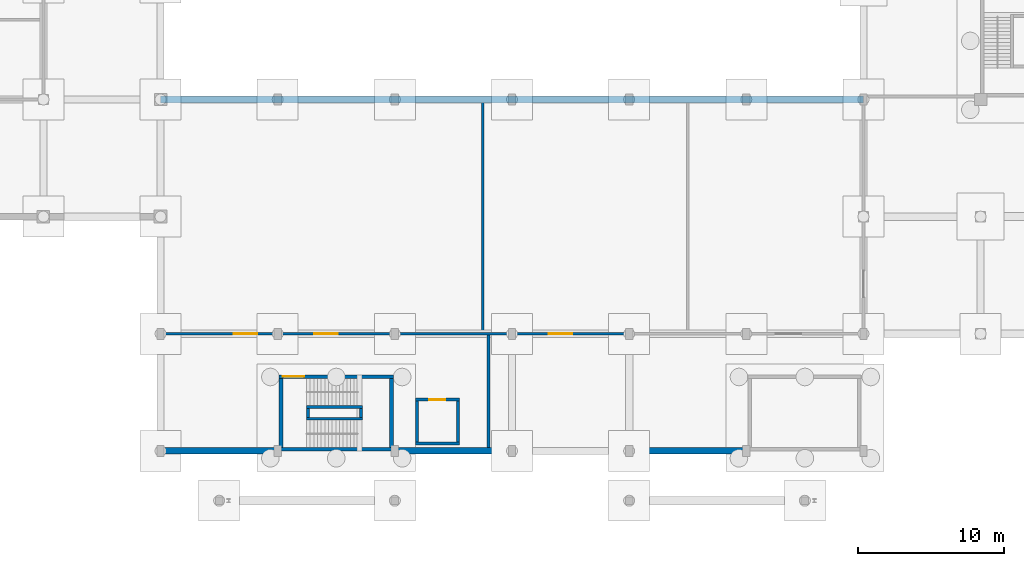
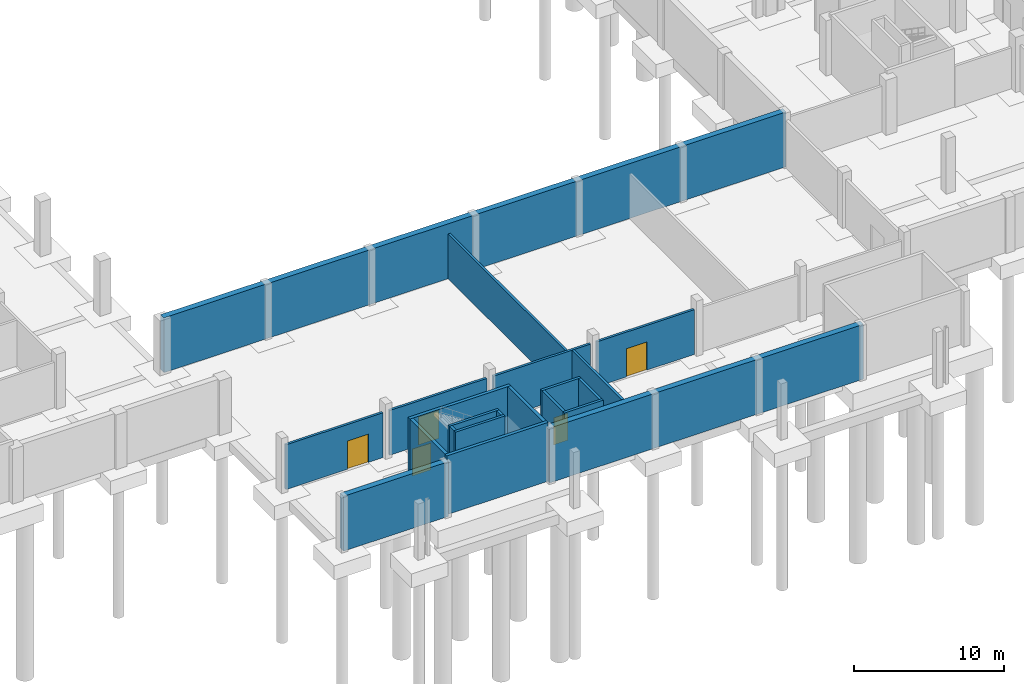
# One storey, part 21 of 29: 21 walls, 5 doors, 5 openings.
"""IFC4 building model written with IfcOpenShell, lengths in metres."""

from ifc_helpers import new_model, si_unit, direction, frame, frame_2d, origin, place, context, subcontext, project, spatial, rectangle, extrude, material, layer, layer_set, type_object, element, fill, save


model = new_model("IFC4")

# Units and contexts
model_context = context("Model", 3, precision=1e-05, world=origin(), true_north=direction((0.0, 1.0)))
body_context = subcontext(model_context, "Body", "Model", "MODEL_VIEW")
ifc_project = project(units=[si_unit("LENGTHUNIT", "METRE"), si_unit("AREAUNIT", "SQUARE_METRE"), si_unit("VOLUMEUNIT", "CUBIC_METRE"), si_unit("PLANEANGLEUNIT", "RADIAN"), si_unit("MASSUNIT", "GRAM", prefix="KILO")], contexts=[model_context])

# Site, building, storey
site_placement = place(None, origin())
site = spatial("IfcSite", under=ifc_project, at=site_placement, CompositionType="ELEMENT")
building_placement = place(site_placement, origin())
building = spatial("IfcBuilding", under=site, at=building_placement, Name="Drelvana Railside Aquatics Centre", CompositionType="ELEMENT")
storey_placement = place(building_placement, frame((0.0, 0.0, -4.800048828125)))
storey = spatial("IfcBuildingStorey", under=building, at=storey_placement, Name="B1", CompositionType="ELEMENT", Elevation=-4.800048828125)

# Wall, opening, door
ifc_material_1 = material(Name="Concrete blockwork compartment wall", Category="masonry")
ifc_layer_1 = layer(ifc_material_1, 0.18505859375, Name="Concrete blockwork compartment wall")
ifc_layer_set_1 = layer_set([ifc_layer_1], Name="Concrete blockwork compartment wall")
wall_type_1 = type_object("IfcWallType", Name="WL-COMP-185", PredefinedType="STANDARD", material=ifc_layer_set_1)
wall_1_placement = place(storey_placement, frame((96.251953125, 8.0, 0.0), z_axis=(0.0, 0.0, 1.0), x_axis=(1.0, 0.0, 0.0)))
wall_1 = element("IfcWall", 1, at=wall_1_placement, inside=storey, type_object=wall_type_1, Name="B1 Electrical plant S corridor wall", PredefinedType="STANDARD", context=body_context, shape_type="SweptSolid", body=[
    extrude(rectangle(XDim=7.49609375, YDim=0.18505859375, at=frame_2d((3.748046875, 0.0))), origin(), (0.0, 0.0, 1.0), 3.650146484375),
])
opening_1_placement = place(wall_1_placement, frame((4.748046875, 0.0, 0.0)))
opening_1 = element("IfcOpeningElement", 2, at=opening_1_placement, cuts=wall_1, Name="Opening D-04-114", PredefinedType="OPENING", context=body_context, shape_type="SweptSolid", body=[
    extrude(rectangle(XDim=1.60009765625, YDim=2.300048828125, at=frame_2d((0.800048828125, 1.14990234375))), frame((0.0, 0.1025390625, 0.0), z_axis=(0.0, -1.0, 0.0), x_axis=(1.0, 0.0, 0.0)), (0.0, 0.0, 1.0), 0.205078125),
])
ifc_material_2 = material(Name="Acoustic fire-rated steel plant door", Category="steel")
door_type_1 = type_object("IfcDoorType", Name="DR-INT-PLANT-1600x2300", OperationType="DOUBLE_DOOR_SINGLE_SWING", PredefinedType="DOOR", material=ifc_material_2)
door_1_placement = place(opening_1_placement, origin())
door_1 = element("IfcDoor", 3, at=door_1_placement, inside=storey, type_object=door_type_1, Name="Main LV switchroom west door D-04-114", OperationType="DOUBLE_DOOR_SINGLE_SWING", OverallHeight=2.300048828125, OverallWidth=1.60009765625, PredefinedType="DOOR", context=body_context, shape_type="SweptSolid", body=[
    extrude(rectangle(XDim=1.60009765625, YDim=2.300048828125, at=frame_2d((0.800048828125, 1.14990234375))), frame((0.0, 0.02490234375, 0.0), z_axis=(0.0, -1.0, 0.0), x_axis=(1.0, 0.0, 0.0)), (0.0, 0.0, 1.0), 0.050048828125),
])
fill(opening_1, door_1)

wall_2_placement = place(storey_placement, frame((104.251953125, 8.0, 0.0), z_axis=(0.0, 0.0, 1.0), x_axis=(1.0, 0.0, 0.0)))
wall_2 = element("IfcWall", 4, at=wall_2_placement, inside=storey, type_object=wall_type_1, Name="B1 Electrical plant S corridor wall", PredefinedType="STANDARD", context=body_context, shape_type="SweptSolid", body=[
    extrude(rectangle(XDim=7.49609375, YDim=0.18505859375, at=frame_2d((3.748046875, 0.0))), origin(), (0.0, 0.0, 1.0), 3.650146484375),
])
opening_2_placement = place(wall_2_placement, frame((2.248046875, 0.0, 0.0)))
opening_2 = element("IfcOpeningElement", 5, at=opening_2_placement, cuts=wall_2, Name="Opening D-04-115", PredefinedType="OPENING", context=body_context, shape_type="SweptSolid", body=[
    extrude(rectangle(XDim=1.60009765625, YDim=2.300048828125, at=frame_2d((0.800048828125, 1.14990234375))), frame((0.0, 0.1025390625, 0.0), z_axis=(0.0, -1.0, 0.0), x_axis=(1.0, 0.0, 0.0)), (0.0, 0.0, 1.0), 0.205078125),
])
door_2_placement = place(opening_2_placement, origin())
door_2 = element("IfcDoor", 6, at=door_2_placement, inside=storey, type_object=door_type_1, Name="Main LV switchroom door D-04-115", OperationType="DOUBLE_DOOR_SINGLE_SWING", OverallHeight=2.300048828125, OverallWidth=1.60009765625, PredefinedType="DOOR", context=body_context, shape_type="SweptSolid", body=[
    extrude(rectangle(XDim=1.60009765625, YDim=2.300048828125, at=frame_2d((0.800048828125, 1.14990234375))), frame((0.0, 0.02490234375, 0.0), z_axis=(0.0, -1.0, 0.0), x_axis=(1.0, 0.0, 0.0)), (0.0, 0.0, 1.0), 0.050048828125),
])
fill(opening_2, door_2)

# Wall
wall_3_placement = place(storey_placement, frame((112.251953125, 8.0, 0.0), z_axis=(0.0, 0.0, 1.0), x_axis=(1.0, 0.0, 0.0)))
element("IfcWall", 7, at=wall_3_placement, inside=storey, type_object=wall_type_1, Name="B1 Electrical plant S corridor wall", PredefinedType="STANDARD", context=body_context, shape_type="SweptSolid", body=[
    extrude(rectangle(XDim=7.49609375, YDim=0.18505859375, at=frame_2d((3.748046875, 0.0))), origin(), (0.0, 0.0, 1.0), 3.650146484375),
])

# Wall, opening, door
wall_4_placement = place(storey_placement, frame((120.251953125, 8.0, 0.0), z_axis=(0.0, 0.0, 1.0), x_axis=(1.0, 0.0, 0.0)))
wall_4 = element("IfcWall", 8, at=wall_4_placement, inside=storey, type_object=wall_type_1, Name="B1 Electrical plant S corridor wall", PredefinedType="STANDARD", context=body_context, shape_type="SweptSolid", body=[
    extrude(rectangle(XDim=7.49609375, YDim=0.18505859375, at=frame_2d((3.748046875, 0.0))), origin(), (0.0, 0.0, 1.0), 3.650146484375),
])
opening_3_placement = place(wall_4_placement, frame((2.248046875, 0.0, 0.0)))
opening_3 = element("IfcOpeningElement", 9, at=opening_3_placement, cuts=wall_4, Name="Opening D-04-116", PredefinedType="OPENING", context=body_context, shape_type="SweptSolid", body=[
    extrude(rectangle(XDim=1.60009765625, YDim=2.300048828125, at=frame_2d((0.800048828125, 1.14990234375))), frame((0.0, 0.1025390625, 0.0), z_axis=(0.0, -1.0, 0.0), x_axis=(1.0, 0.0, 0.0)), (0.0, 0.0, 1.0), 0.205078125),
])
door_3_placement = place(opening_3_placement, origin())
door_3 = element("IfcDoor", 10, at=door_3_placement, inside=storey, type_object=door_type_1, Name="HV transformer chamber door D-04-116", OperationType="DOUBLE_DOOR_SINGLE_SWING", OverallHeight=2.300048828125, OverallWidth=1.60009765625, PredefinedType="DOOR", context=body_context, shape_type="SweptSolid", body=[
    extrude(rectangle(XDim=1.60009765625, YDim=2.300048828125, at=frame_2d((0.800048828125, 1.14990234375))), frame((0.0, 0.02490234375, 0.0), z_axis=(0.0, -1.0, 0.0), x_axis=(1.0, 0.0, 0.0)), (0.0, 0.0, 1.0), 0.050048828125),
])
fill(opening_3, door_3)

# Walls
wall_5_placement = place(storey_placement, frame((118.39990234375, 0.219970703125, 0.0), z_axis=(0.0, 0.0, 1.0), x_axis=(0.0, 1.0, 0.0)))
element("IfcWall", 11, at=wall_5_placement, inside=storey, type_object=wall_type_1, Name="B1 South service corridor E wall", PredefinedType="STANDARD", context=body_context, shape_type="SweptSolid", body=[
    extrude(rectangle(XDim=7.780029296875, YDim=0.18505859375, at=frame_2d((3.89013671875, 0.0))), origin(), (0.0, 0.0, 1.0), 3.650146484375),
])
wall_6_placement = place(storey_placement, frame((118.0, 8.0, 0.0), z_axis=(0.0, 0.0, 1.0), x_axis=(0.0, 1.0, 0.0)))
element("IfcWall", 12, at=wall_6_placement, inside=storey, type_object=wall_type_1, Name="B1 Switchroom-Transformer divider", PredefinedType="STANDARD", context=body_context, shape_type="SweptSolid", body=[
    extrude(rectangle(XDim=15.780029296875, YDim=0.18505859375, at=frame_2d((7.89013671875, 0.0))), origin(), (0.0, 0.0, 1.0), 3.650146484375),
])
ifc_material_3 = material(Name="Concrete C40/50", Category="concrete")
ifc_layer_2 = layer(ifc_material_3, 0.25, Name="Concrete C40/50")
ifc_layer_set_2 = layer_set([ifc_layer_2], Name="Concrete C40/50")
wall_type_2 = type_object("IfcWallType", Name="WL-CORE-250", PredefinedType="SHEAR", material=ifc_layer_set_2)
wall_7_placement = place(storey_placement, frame((104.10009765625, 0.125, 0.0), z_axis=(0.0, 0.0, 1.0), x_axis=(1.0, 0.0, 0.0)))
element("IfcWall", 13, at=wall_7_placement, inside=storey, type_object=wall_type_2, Name="Core 4 Entrance Foyer South S core wall (B1)", PredefinedType="SHEAR", context=body_context, shape_type="SweptSolid", body=[
    extrude(rectangle(XDim=7.7998046875, YDim=0.25, at=frame_2d((3.89990234375, 0.0))), origin(), (0.0, 0.0, 1.0), 4.800048828125),
])

# Wall, opening, door
wall_8_placement = place(storey_placement, frame((104.10009765625, 5.074951171875, 0.0), z_axis=(0.0, 0.0, 1.0), x_axis=(1.0, 0.0, 0.0)))
wall_8 = element("IfcWall", 14, at=wall_8_placement, inside=storey, type_object=wall_type_2, Name="Core 4 Entrance Foyer South N core wall (B1)", PredefinedType="SHEAR", context=body_context, shape_type="SweptSolid", body=[
    extrude(rectangle(XDim=7.7998046875, YDim=0.25, at=frame_2d((3.89990234375, 0.0))), origin(), (0.0, 0.0, 1.0), 4.800048828125),
])
opening_4_placement = place(wall_8_placement, frame((0.25, 0.0, 0.0)))
opening_4 = element("IfcOpeningElement", 15, at=opening_4_placement, cuts=wall_8, Name="Opening D-01-025", PredefinedType="OPENING", context=body_context, shape_type="SweptSolid", body=[
    extrude(rectangle(XDim=1.449951171875, YDim=2.199951171875, at=frame_2d((0.72509765625, 1.10009765625))), frame((0.0, 0.135009765625, 0.0), z_axis=(0.0, -1.0, 0.0), x_axis=(1.0, 0.0, 0.0)), (0.0, 0.0, 1.0), 0.27001953125),
])
ifc_material_4 = material(Name="Fire-rated steel and vision-panel door", Category="steel")
door_type_2 = type_object("IfcDoorType", Name="DR-INT-STAIR-1450x2200", OperationType="DOUBLE_DOOR_SINGLE_SWING", PredefinedType="DOOR", material=ifc_material_4)
door_4_placement = place(opening_4_placement, origin())
door_4 = element("IfcDoor", 16, at=door_4_placement, inside=storey, type_object=door_type_2, Name="Stair ST-04 lobby door D-01-025", OperationType="DOUBLE_DOOR_SINGLE_SWING", OverallHeight=2.199951171875, OverallWidth=1.449951171875, PredefinedType="DOOR", context=body_context, shape_type="SweptSolid", body=[
    extrude(rectangle(XDim=1.449951171875, YDim=2.199951171875, at=frame_2d((0.72509765625, 1.10009765625))), frame((0.0, 0.02490234375, 0.0), z_axis=(0.0, -1.0, 0.0), x_axis=(1.0, 0.0, 0.0)), (0.0, 0.0, 1.0), 0.050048828125),
])
fill(opening_4, door_4)

# Walls
for number, where, z_axis, x_axis, name in (
    (17, (104.22509765625, 0.25, 0.0), (0.0, 0.0, 1.0), (0.0, 1.0, 0.0), "Core 4 Entrance Foyer South W core wall (B1)"),
    (18, (111.77490234375, 0.25, 0.0), (0.0, 0.0, 1.0), (0.0, 1.0, 0.0), "Core 4 Entrance Foyer South E core wall (B1)"),
):
    element("IfcWall", number, at=place(storey_placement, frame(where, z_axis=z_axis, x_axis=x_axis)), inside=storey, type_object=wall_type_2, Name=name, PredefinedType="SHEAR", context=body_context, shape_type="SweptSolid", body=[
        extrude(rectangle(XDim=4.699951171875, YDim=0.25, at=frame_2d((2.35009765625, 0.0))), origin(), (0.0, 0.0, 1.0), 4.800048828125),
    ])
ifc_material_5 = material(Name="Waterproof concrete C40/50", Category="concrete")
ifc_layer_3 = layer(ifc_material_5, 0.449951171875, Name="Waterproof concrete C40/50")
ifc_layer_set_3 = layer_set([ifc_layer_3], Name="Waterproof concrete C40/50")
wall_type_3 = type_object("IfcWallType", Name="WL-RET-450", PredefinedType="SOLIDWALL", material=ifc_layer_set_3)
wall_9_placement = place(storey_placement, frame((96.0, 0.0, 0.0), z_axis=(0.0, 0.0, 1.0), x_axis=(1.0, 0.0, 0.0)))
element("IfcWall", 19, at=wall_9_placement, inside=storey, type_object=wall_type_3, Name="Basement retaining wall V3-S-1", PredefinedType="SOLIDWALL", context=body_context, shape_type="SweptSolid", body=[
    extrude(rectangle(XDim=8.097900390625, YDim=0.449951171875, at=frame_2d((4.048828125, 0.0))), origin(), (0.0, 0.0, 1.0), 4.469970703125),
])
wall_10_placement = place(storey_placement, frame((111.902099609375, 0.0, 0.0), z_axis=(0.0, 0.0, 1.0), x_axis=(1.0, 0.0, 0.0)))
element("IfcWall", 20, at=wall_10_placement, inside=storey, type_object=wall_type_3, Name="Basement retaining wall V3-S-2", PredefinedType="SOLIDWALL", context=body_context, shape_type="SweptSolid", body=[
    extrude(rectangle(XDim=24.19580078125, YDim=0.449951171875, at=frame_2d((12.097900390625, 0.0))), origin(), (0.0, 0.0, 1.0), 4.469970703125),
])
wall_11_placement = place(storey_placement, frame((96.0, 24.0, 0.0), z_axis=(0.0, 0.0, 1.0), x_axis=(1.0, 0.0, 0.0)))
element("IfcWall", 21, at=wall_11_placement, inside=storey, type_object=wall_type_3, Name="Basement retaining wall V3-N", PredefinedType="SOLIDWALL", context=body_context, shape_type="SweptSolid", body=[
    extrude(rectangle(XDim=48.0, YDim=0.449951171875, at=frame_2d((24.0, 0.0))), origin(), (0.0, 0.0, 1.0), 4.469970703125),
])
ifc_layer_4 = layer(ifc_material_3, 0.199951171875, Name="Concrete C40/50")
ifc_layer_set_4 = layer_set([ifc_layer_4], Name="Concrete C40/50")
wall_type_4 = type_object("IfcWallType", Name="WL-SHFT-200", PredefinedType="SHEAR", material=ifc_layer_set_4)
for number, where, z_axis, x_axis, name in (
    (22, (105.969970703125, 2.199951171875, 0.0), (0.0, 0.0, 1.0), (1.0, 0.0, 0.0), "Stair ST-04 central spine wall A (B1)"),
    (23, (105.969970703125, 3.0, 0.0), (0.0, 0.0, 1.0), (1.0, 0.0, 0.0), "Stair ST-04 central spine wall B (B1)"),
):
    element("IfcWall", number, at=place(storey_placement, frame(where, z_axis=z_axis, x_axis=x_axis)), inside=storey, type_object=wall_type_4, Name=name, PredefinedType="SHEAR", context=body_context, shape_type="SweptSolid", body=[
        extrude(rectangle(XDim=3.820068359375, YDim=0.199951171875, at=frame_2d((1.91015625, 0.0))), origin(), (0.0, 0.0, 1.0), 4.800048828125),
    ])
for number, where, z_axis, x_axis, name in (
    (24, (106.070068359375, 2.300048828125, 0.0), (0.0, 0.0, 1.0), (0.0, 1.0, 0.0), "Stair ST-04 central spine wall W (B1)"),
    (25, (109.68994140625, 2.300048828125, 0.0), (0.0, 0.0, 1.0), (0.0, 1.0, 0.0), "Stair ST-04 central spine wall E (B1)"),
):
    element("IfcWall", number, at=place(storey_placement, frame(where, z_axis=z_axis, x_axis=x_axis)), inside=storey, type_object=wall_type_4, Name=name, PredefinedType="SHEAR", context=body_context, shape_type="SweptSolid", body=[
        extrude(rectangle(XDim=0.599853515625, YDim=0.199951171875, at=frame_2d((0.2998046875, 0.0))), origin(), (0.0, 0.0, 1.0), 4.800048828125),
    ])
wall_12_placement = place(storey_placement, frame((113.39990234375, 0.5, 0.0), z_axis=(0.0, 0.0, 1.0), x_axis=(1.0, 0.0, 0.0)))
element("IfcWall", 26, at=wall_12_placement, inside=storey, type_object=wall_type_4, Name="Lift LP-03 S shaft wall (B1)", PredefinedType="SHEAR", context=body_context, shape_type="SweptSolid", body=[
    extrude(rectangle(XDim=3.0, YDim=0.199951171875, at=frame_2d((1.5, 0.0))), origin(), (0.0, 0.0, 1.0), 4.800048828125),
])

# Wall, opening, door
wall_13_placement = place(storey_placement, frame((113.39990234375, 3.5, 0.0), z_axis=(0.0, 0.0, 1.0), x_axis=(1.0, 0.0, 0.0)))
wall_13 = element("IfcWall", 27, at=wall_13_placement, inside=storey, type_object=wall_type_4, Name="Lift LP-03 N shaft wall (B1)", PredefinedType="SHEAR", context=body_context, shape_type="SweptSolid", body=[
    extrude(rectangle(XDim=3.0, YDim=0.199951171875, at=frame_2d((1.5, 0.0))), origin(), (0.0, 0.0, 1.0), 4.800048828125),
])
opening_5_placement = place(wall_13_placement, frame((0.949951171875, 0.0, 0.0)))
opening_5 = element("IfcOpeningElement", 28, at=opening_5_placement, cuts=wall_13, Name="Opening LD-01-028", PredefinedType="OPENING", context=body_context, shape_type="SweptSolid", body=[
    extrude(rectangle(XDim=1.10009765625, YDim=2.199951171875, at=frame_2d((0.550048828125, 1.10009765625))), frame((0.0, 0.10986328125, 0.0), z_axis=(0.0, -1.0, 0.0), x_axis=(1.0, 0.0, 0.0)), (0.0, 0.0, 1.0), 0.219970703125),
])
ifc_material_6 = material(Name="Stainless steel lift landing sliding door", Category="steel")
door_type_3 = type_object("IfcDoorType", Name="DR-LIFT-LD-1100x2200", OperationType="SLIDING_TO_LEFT", PredefinedType="DOOR", material=ifc_material_6)
door_5_placement = place(opening_5_placement, origin())
door_5 = element("IfcDoor", 29, at=door_5_placement, inside=storey, type_object=door_type_3, Name="Lift LP-03 landing door LD-01-028", OperationType="SLIDING_TO_LEFT", OverallHeight=2.199951171875, OverallWidth=1.10009765625, PredefinedType="DOOR", context=body_context, shape_type="SweptSolid", body=[
    extrude(rectangle(XDim=1.10009765625, YDim=2.199951171875, at=frame_2d((0.550048828125, 1.10009765625))), frame((0.0, 0.02490234375, 0.0), z_axis=(0.0, -1.0, 0.0), x_axis=(1.0, 0.0, 0.0)), (0.0, 0.0, 1.0), 0.050048828125),
])
fill(opening_5, door_5)

# Walls
for number, where, z_axis, x_axis, name in (
    (30, (113.5, 0.60009765625, 0.0), (0.0, 0.0, 1.0), (0.0, 1.0, 0.0), "Lift LP-03 W shaft wall (B1)"),
    (31, (116.300048828125, 0.60009765625, 0.0), (0.0, 0.0, 1.0), (0.0, 1.0, 0.0), "Lift LP-03 E shaft wall (B1)"),
):
    element("IfcWall", number, at=place(storey_placement, frame(where, z_axis=z_axis, x_axis=x_axis)), inside=storey, type_object=wall_type_4, Name=name, PredefinedType="SHEAR", context=body_context, shape_type="SweptSolid", body=[
        extrude(rectangle(XDim=2.7998046875, YDim=0.199951171875, at=frame_2d((1.39990234375, 0.0))), origin(), (0.0, 0.0, 1.0), 4.800048828125),
    ])

save(model, "model.ifc")
